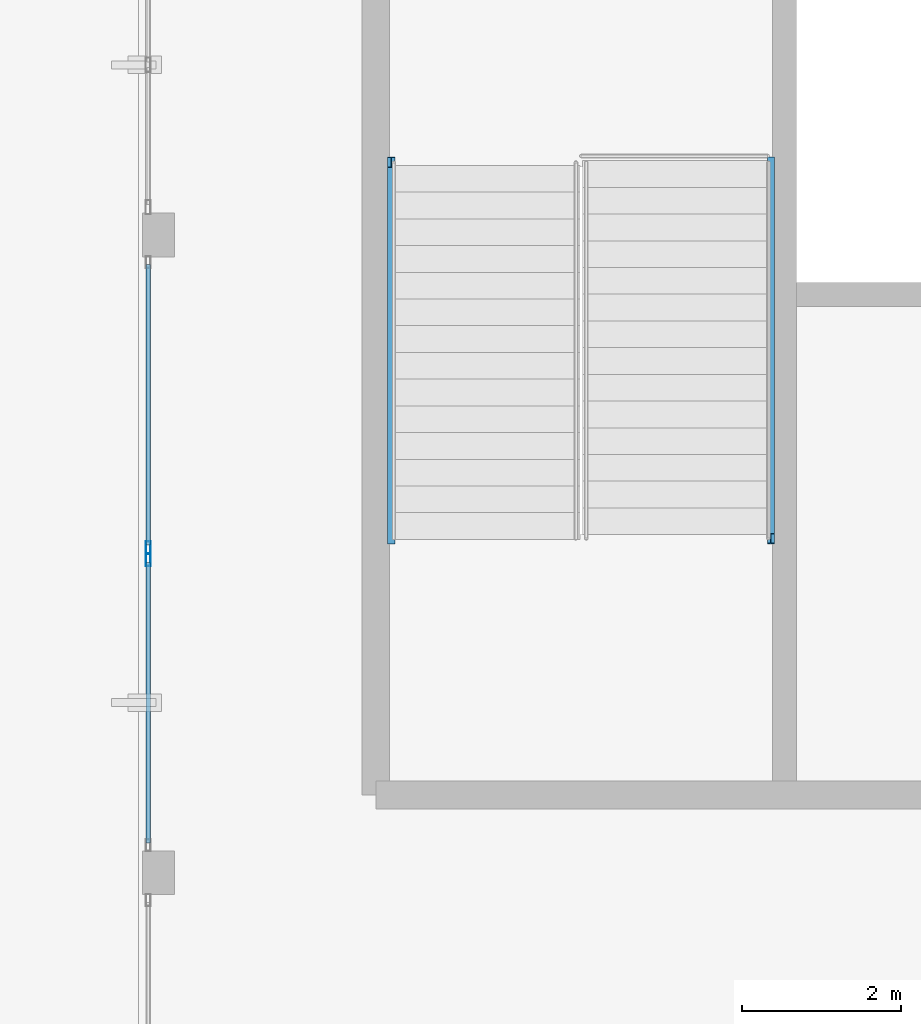
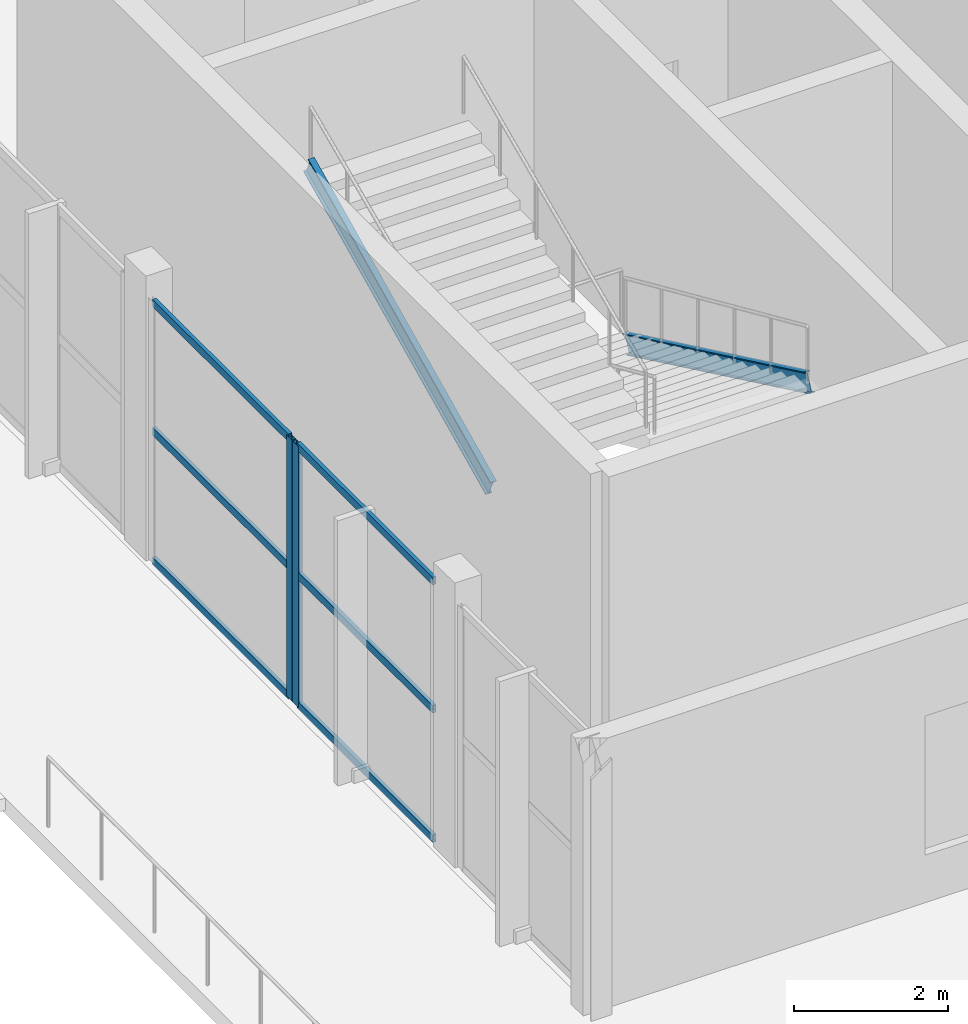
# One storey, part 23 of 123: 10 members, 2 elements without a shape of their own.
"""IFC4 building model written with IfcOpenShell, lengths in metres."""

from ifc_helpers import new_model, si_unit, direction, frame, origin, origin_2d, place, context, subcontext, project, spatial, hollow_rectangle, i_section, extrude, material, layer, layer_set, material_profile, profile_set, type_object, element, aggregate, save


model = new_model("IFC4")

# Units and contexts
model_context = context("Model", 3, precision=1e-05, world=origin(), true_north=direction((0.0, 1.0)))
body_context = subcontext(model_context, "Body", "Model", "MODEL_VIEW")
ifc_project = project(units=[si_unit("LENGTHUNIT", "METRE"), si_unit("AREAUNIT", "SQUARE_METRE"), si_unit("VOLUMEUNIT", "CUBIC_METRE"), si_unit("PLANEANGLEUNIT", "RADIAN"), si_unit("MASSUNIT", "GRAM", prefix="KILO")], contexts=[model_context])

# Site, building, storey
site_placement = place(None, origin())
site = spatial("IfcSite", under=ifc_project, at=site_placement, CompositionType="ELEMENT")
building_placement = place(site_placement, origin())
building = spatial("IfcBuilding", under=site, at=building_placement, Name="Kalgoora Escarpment Arena", CompositionType="ELEMENT")
storey_placement = place(building_placement, frame((0.0, 0.0, 9.89990234375)))
storey = spatial("IfcBuildingStorey", under=building, at=storey_placement, Name="L02", CompositionType="ELEMENT", Elevation=9.89990234375)

# Curtain wall, member
ifc_material_1 = material(Name=" Champagne anodised aluminium & double-glazed low-E", Category="aluminium")
ifc_layer_1 = layer(ifc_material_1, 0.166015625)
ifc_layer_set_1 = layer_set([ifc_layer_1], Name="CW-UNIT-19")
curtain_wall_type_1 = type_object("IfcCurtainWallType", Name="CW-UNIT-19", PredefinedType="NOTDEFINED", material=ifc_layer_set_1)
curtain_wall_1_placement = place(storey_placement, origin())
curtain_wall_1 = element("IfcCurtainWall", 1, at=curtain_wall_1_placement, inside=storey, type_object=curtain_wall_type_1, Name="L02 unitised facade curtain wall 058", PredefinedType="NOTDEFINED")
ifc_material_2 = material(Name="Anodised aluminium 6063-T6", Category="aluminium")
ifc_material_profile_1 = material_profile(ifc_material_2, hollow_rectangle(XDim=0.06005859375, YDim=0.14990234375, WallThickness=0.00341796875, at=origin_2d()))
ifc_profile_set_1 = profile_set([ifc_material_profile_1], Name="Anodised aluminium 6063-T6")
member_type_1 = type_object("IfcMemberType", Name="MEM-CW-MULL-150", PredefinedType="MULLION", material=ifc_profile_set_1)
member_1_placement = place(storey_placement, frame((8.52001953125, 47.919921875, 0.02001953125), z_axis=(0.0, 0.0, 1.0), x_axis=(-1.0, 0.0, 0.0)))
member_1 = element("IfcMember", 2, at=member_1_placement, type_object=member_type_1, Name="CW-19 mullion 2", PredefinedType="MULLION", context=body_context, shape_type="SweptSolid", body=[
    extrude(hollow_rectangle(XDim=0.06005859375, YDim=0.14990234375, WallThickness=0.00341796875, at=origin_2d()), origin(), (0.0, 0.0, 1.0), 4.130126953125),
])

ifc_material_3 = material(Name=" Champagne anodised aluminium & double-glazed low-E", Category="aluminium")
ifc_layer_2 = layer(ifc_material_3, 0.14990234375)
ifc_layer_set_2 = layer_set([ifc_layer_2], Name="CW-UNIT-20")
curtain_wall_type_2 = type_object("IfcCurtainWallType", Name="CW-UNIT-20", PredefinedType="NOTDEFINED", material=ifc_layer_set_2)
curtain_wall_2_placement = place(storey_placement, origin())
curtain_wall_2 = element("IfcCurtainWall", 3, at=curtain_wall_2_placement, inside=storey, type_object=curtain_wall_type_2, Name="L02 unitised facade curtain wall 059", PredefinedType="NOTDEFINED")
member_2_placement = place(storey_placement, frame((8.52001953125, 48.080078125, 0.02001953125), z_axis=(0.0, 0.0, 1.0), x_axis=(-1.0, 0.0, 0.0)))
member_2 = element("IfcMember", 4, at=member_2_placement, type_object=member_type_1, Name="CW-20 mullion 1", PredefinedType="MULLION", context=body_context, shape_type="SweptSolid", body=[
    extrude(hollow_rectangle(XDim=0.06005859375, YDim=0.14990234375, WallThickness=0.00341796875, at=origin_2d()), origin(), (0.0, 0.0, 1.0), 4.130126953125),
])

# Member
ifc_material_4 = material(Name="Anodised aluminium 6063-T6", Category="aluminium")
ifc_material_profile_2 = material_profile(ifc_material_4, hollow_rectangle(XDim=0.054931640625, YDim=0.1201171875, WallThickness=0.003173828125, at=origin_2d()))
ifc_profile_set_2 = profile_set([ifc_material_profile_2], Name="Anodised aluminium 6063-T6")
member_type_2 = type_object("IfcMemberType", Name="MEM-CW-TRAN-120", PredefinedType="USERDEFINED", material=ifc_profile_set_2)
member_3_placement = place(storey_placement, frame((8.52001953125, 44.374267578125, 0.047607421875), z_axis=(0.0, 1.0, 0.0), x_axis=(-1.0, 0.0, 0.0)))
member_3 = element("IfcMember", 5, at=member_3_placement, type_object=member_type_2, Name="CW-19 transom 1.1", ObjectType="TRANSOM", PredefinedType="USERDEFINED", context=body_context, shape_type="SweptSolid", body=[
    extrude(hollow_rectangle(XDim=0.054931640625, YDim=0.1201171875, WallThickness=0.003173828125, at=origin_2d()), origin(), (0.0, 0.0, 1.0), 3.515625),
])

member_4_placement = place(storey_placement, frame((8.52001953125, 44.374267578125, 2.09521484375), z_axis=(0.0, 1.0, 0.0), x_axis=(-1.0, 0.0, 0.0)))
member_4 = element("IfcMember", 6, at=member_4_placement, type_object=member_type_2, Name="CW-19 transom 1.2", ObjectType="TRANSOM", PredefinedType="USERDEFINED", context=body_context, shape_type="SweptSolid", body=[
    extrude(hollow_rectangle(XDim=0.054931640625, YDim=0.1201171875, WallThickness=0.003173828125, at=origin_2d()), origin(), (0.0, 0.0, 1.0), 3.515625),
])

member_5_placement = place(storey_placement, frame((8.52001953125, 44.374267578125, 4.12255859375), z_axis=(0.0, 1.0, 0.0), x_axis=(-1.0, 0.0, 0.0)))
member_5 = element("IfcMember", 7, at=member_5_placement, type_object=member_type_2, Name="CW-19 transom 1.3", ObjectType="TRANSOM", PredefinedType="USERDEFINED", context=body_context, shape_type="SweptSolid", body=[
    extrude(hollow_rectangle(XDim=0.054931640625, YDim=0.1201171875, WallThickness=0.003173828125, at=origin_2d()), origin(), (0.0, 0.0, 1.0), 3.515625),
])

aggregate(curtain_wall_1, [member_1, member_3, member_4, member_5])

member_6_placement = place(storey_placement, frame((8.52001953125, 48.110107421875, 0.047607421875), z_axis=(0.0, 1.0, 0.0), x_axis=(-1.0, 0.0, 0.0)))
member_6 = element("IfcMember", 8, at=member_6_placement, type_object=member_type_2, Name="CW-20 transom 1.1", ObjectType="TRANSOM", PredefinedType="USERDEFINED", context=body_context, shape_type="SweptSolid", body=[
    extrude(hollow_rectangle(XDim=0.054931640625, YDim=0.1201171875, WallThickness=0.003173828125, at=origin_2d()), origin(), (0.0, 0.0, 1.0), 3.515625),
])

member_7_placement = place(storey_placement, frame((8.52001953125, 48.110107421875, 2.09521484375), z_axis=(0.0, 1.0, 0.0), x_axis=(-1.0, 0.0, 0.0)))
member_7 = element("IfcMember", 9, at=member_7_placement, type_object=member_type_2, Name="CW-20 transom 1.2", ObjectType="TRANSOM", PredefinedType="USERDEFINED", context=body_context, shape_type="SweptSolid", body=[
    extrude(hollow_rectangle(XDim=0.054931640625, YDim=0.1201171875, WallThickness=0.003173828125, at=origin_2d()), origin(), (0.0, 0.0, 1.0), 3.515625),
])

member_8_placement = place(storey_placement, frame((8.52001953125, 48.110107421875, 4.12255859375), z_axis=(0.0, 1.0, 0.0), x_axis=(-1.0, 0.0, 0.0)))
member_8 = element("IfcMember", 10, at=member_8_placement, type_object=member_type_2, Name="CW-20 transom 1.3", ObjectType="TRANSOM", PredefinedType="USERDEFINED", context=body_context, shape_type="SweptSolid", body=[
    extrude(hollow_rectangle(XDim=0.054931640625, YDim=0.1201171875, WallThickness=0.003173828125, at=origin_2d()), origin(), (0.0, 0.0, 1.0), 3.515625),
])

aggregate(curtain_wall_2, [member_2, member_6, member_7, member_8])

# Members
ifc_material_5 = material(Name="Structural steel AS/NZS 3679 (300 MPa)", Category="steel")
ifc_material_profile_3 = material_profile(ifc_material_5, i_section(OverallWidth=0.090087890625, OverallDepth=0.300048828125, WebThickness=0.008056640625, FlangeThickness=0.01611328125, at=origin_2d()))
ifc_profile_set_3 = profile_set([ifc_material_profile_3], Name="Structural steel AS/NZS 3679 (300 MPa)")
member_type_3 = type_object("IfcMemberType", Name="MEM-STRINGER-PFC", PredefinedType="STRINGER", material=ifc_profile_set_3)
for number, where, z_axis, x_axis, name in (
    (11, (16.330078125, 52.909912109375, -0.039794921875), (0.0, -0.902682652253, 0.430306901317), (1.0, 0.0, 0.0), "ST02 L02 steel stair stringer 1"),
    (12, (11.570068359375, 48.18994140625, 2.210205078125), (0.0, 0.902682652253, 0.430306901317), (-1.0, 0.0, 0.0), "ST02 L02 steel stair stringer 2"),
):
    element("IfcMember", number, at=place(storey_placement, frame(where, z_axis=z_axis, x_axis=x_axis)), inside=storey, type_object=member_type_3, Name=name, PredefinedType="STRINGER", context=body_context, shape_type="SweptSolid", body=[
        extrude(i_section(OverallWidth=0.090087890625, OverallDepth=0.300048828125, WebThickness=0.008056640625, FlangeThickness=0.01611328125, at=origin_2d()), origin(), (0.0, 0.0, 1.0), 5.228759765625),
    ])

save(model, "model.ifc")
